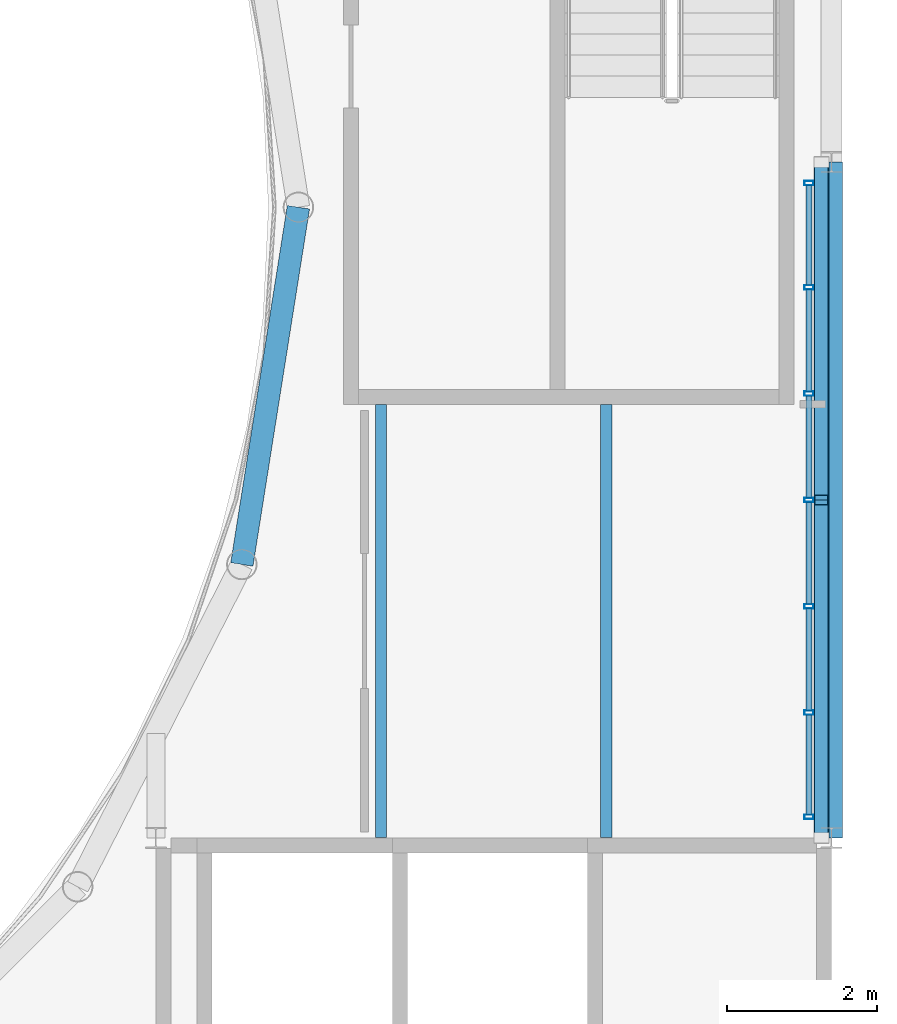
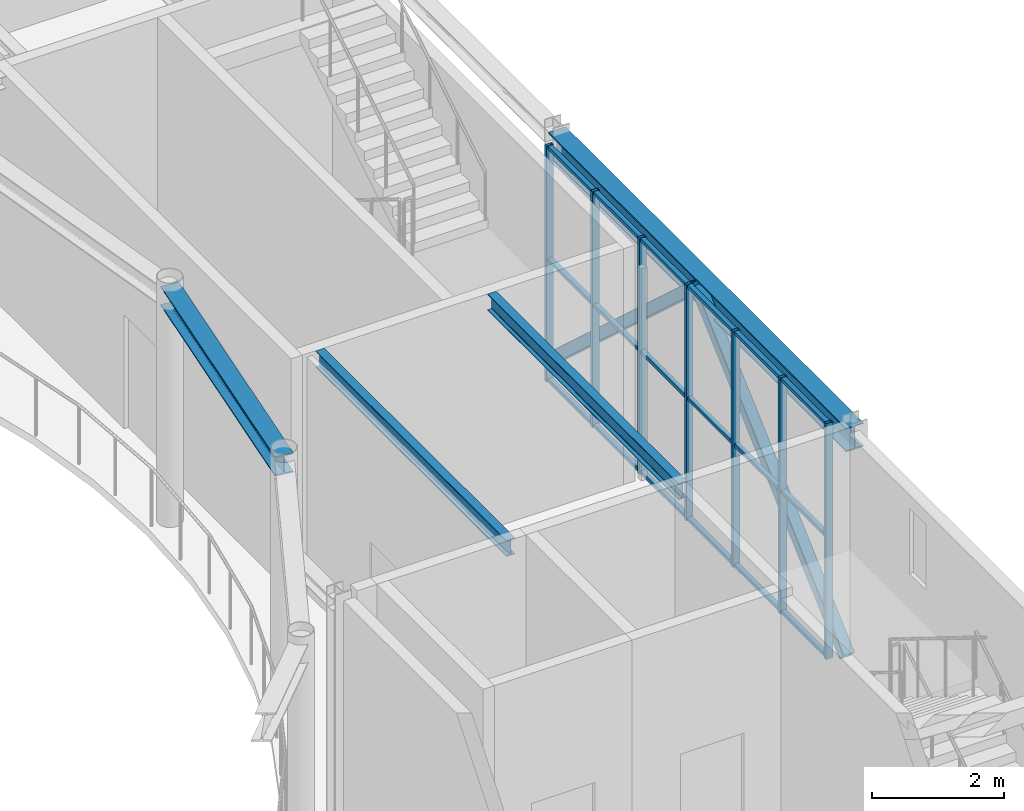
# One storey, part 34 of 70: 27 members, 4 beams, 1 element without a shape of its own.
"""IFC4 building model written with IfcOpenShell, lengths in metres."""

import ifcopenshell
import ifcopenshell.guid

model = None  # the IFC model being written
_history = None  # IfcOwnerHistory: only IFC2X3 demands one
_inside = {}  # id of a spatial element -> (the spatial element, [elements in it])
_under = {}  # id of a project, library or spatial element -> (it, [spatial elements below it])
_declared = {}  # id of a project -> (the project, [libraries it declares])
_typed = {}  # id of a type object -> (the type object, [elements of that type])
_made_of = {}  # id of a material, layer set ... -> (it, [elements and type objects made of it])


def new_model(schema):
    """Start an empty IFC model of exactly this schema.

    Asked for "IFC4X3", IfcOpenShell would pick the latest addendum, in which some entities
    have other attributes; the version numbers below select the first issue.
    IFC2X3 requires an IfcOwnerHistory on every rooted entity: one is made here for all.
    """
    global model, _history
    if schema == "IFC4X3":
        model = ifcopenshell.file(schema_version=(4, 3, 0, 0))
    else:
        model = ifcopenshell.file(schema=schema)
    _inside.clear()
    _under.clear()
    _declared.clear()
    _typed.clear()
    _made_of.clear()
    _history = None
    if model.schema == "IFC2X3":
        org = make("IfcOrganization", Name="unknown")
        user = make(
            "IfcPersonAndOrganization",
            ThePerson=make("IfcPerson", FamilyName="unknown"),
            TheOrganization=org,
        )
        app = make(
            "IfcApplication",
            ApplicationDeveloper=org,
            Version="unknown",
            ApplicationFullName="unknown",
            ApplicationIdentifier="unknown",
        )
        _history = make(
            "IfcOwnerHistory",
            OwningUser=user,
            OwningApplication=app,
            ChangeAction="ADDED",
            CreationDate=0,
        )
    return model


def make(cls, **values):
    """One entity of the class cls with the attributes given. An attribute that is None is left unset."""
    return model.create_entity(
        cls, **{name: value for name, value in values.items() if value is not None}
    )


def rooted(cls, **values):
    """An entity with a GlobalId (a new one), such as an element, a storey or a relation."""
    return make(cls, GlobalId=ifcopenshell.guid.new(), OwnerHistory=_history, **values)


def si_unit(unit_type, name, prefix=None):
    """IfcSIUnit, for example si_unit("LENGTHUNIT", "METRE", prefix="MILLI")."""
    return make("IfcSIUnit", UnitType=unit_type, Prefix=prefix, Name=name)


def assignment(units):
    """IfcUnitAssignment: the units of a project."""
    return None if units is None else make("IfcUnitAssignment", Units=units)


def point(xyz):
    """IfcCartesianPoint."""
    return None if xyz is None else make("IfcCartesianPoint", Coordinates=xyz)


def direction(xyz):
    """IfcDirection."""
    return None if xyz is None else make("IfcDirection", DirectionRatios=xyz)


def frame(location, z_axis=None, x_axis=None):
    """IfcAxis2Placement3D, a coordinate frame: its origin and axes. An axis left out is left unset."""
    return make(
        "IfcAxis2Placement3D",
        Location=point(location),
        Axis=direction(z_axis),
        RefDirection=direction(x_axis),
    )


def frame_2d(location, x_axis=None):
    """IfcAxis2Placement2D, a coordinate frame in the plane: its origin and x axis."""
    return make(
        "IfcAxis2Placement2D", Location=point(location), RefDirection=direction(x_axis)
    )


def origin():
    """The frame at (0, 0, 0) with its axes left unset."""
    return frame((0.0, 0.0, 0.0))


def origin_2d():
    """The frame at (0, 0) in the plane with its x axis left unset."""
    return frame_2d((0.0, 0.0))


def place(relative_to, where):
    """IfcLocalPlacement: puts the frame where relative to a parent placement (None: the world)."""
    return make(
        "IfcLocalPlacement", PlacementRelTo=relative_to, RelativePlacement=where
    )


def context(
    kind, dimensions, precision=None, world=None, true_north=None, identifier=None
):
    """IfcGeometricRepresentationContext, for example the 3D "Model" context."""
    return make(
        "IfcGeometricRepresentationContext",
        ContextIdentifier=identifier,
        ContextType=kind,
        CoordinateSpaceDimension=dimensions,
        Precision=precision,
        WorldCoordinateSystem=world,
        TrueNorth=true_north,
    )


def subcontext(parent, identifier, kind, view, scale=None):
    """IfcGeometricRepresentationSubContext, for example "Body" below "Model"."""
    return make(
        "IfcGeometricRepresentationSubContext",
        ContextIdentifier=identifier,
        ContextType=kind,
        ParentContext=parent,
        TargetScale=scale,
        TargetView=view,
    )


def project(units=None, contexts=None):
    """IfcProject with its units and contexts."""
    return rooted(
        "IfcProject",
        Name="project",
        RepresentationContexts=contexts,
        UnitsInContext=assignment(units),
    )


def spatial(cls, under=None, at=None, **own):
    """A site, building, storey or space (cls), placed at a placement, below another one or the project."""
    s = rooted(cls, ObjectPlacement=at, **own)
    if under is not None:
        _under.setdefault(under.id(), (under, []))[1].append(s)
    return s


def profile(cls, at=None, kind="AREA", **sizes):
    """A parametric profile (cls). Its sizes go by their IFC names, for example OverallWidth=200.0."""
    return make(cls, ProfileType=kind, Position=at, **sizes)


def hollow_rectangle(**sizes):
    """IfcRectangleHollowProfileDef."""
    return profile("IfcRectangleHollowProfileDef", **sizes)


def i_section(**sizes):
    """IfcIShapeProfileDef."""
    return profile("IfcIShapeProfileDef", **sizes)


def extrude(swept, where, along, depth):
    """IfcExtrudedAreaSolid: the profile swept, set in the frame where, extruded along a direction by depth."""
    return make(
        "IfcExtrudedAreaSolid",
        SweptArea=swept,
        Position=where,
        ExtrudedDirection=direction(along),
        Depth=depth,
    )


def shape(context_of_items, identifier, shape_type, items):
    """IfcShapeRepresentation: the items that make up one representation, for example the "Body"."""
    return make(
        "IfcShapeRepresentation",
        ContextOfItems=context_of_items,
        RepresentationIdentifier=identifier,
        RepresentationType=shape_type,
        Items=items,
    )


def material(Name=None, Category=None):
    """IfcMaterial."""
    return make("IfcMaterial", Name=Name, Category=Category)


def layer(
    of_material, thickness, ventilated=None, Name=None, Category=None, Priority=None
):
    """IfcMaterialLayer: one layer of a wall or slab, of a material (None: an air gap)."""
    return make(
        "IfcMaterialLayer",
        Material=of_material,
        LayerThickness=thickness,
        IsVentilated=ventilated,
        Name=Name,
        Category=Category,
        Priority=Priority,
    )


def layer_set(layers, Name=None):
    """IfcMaterialLayerSet."""
    return make("IfcMaterialLayerSet", MaterialLayers=layers, LayerSetName=Name)


def material_profile(
    of_material, cross_section, Name=None, Category=None, Priority=None
):
    """IfcMaterialProfile: a cross section and its material."""
    return make(
        "IfcMaterialProfile",
        Name=Name,
        Material=of_material,
        Profile=cross_section,
        Priority=Priority,
        Category=Category,
    )


def profile_set(profiles, Name=None, composite=None):
    """IfcMaterialProfileSet."""
    return make(
        "IfcMaterialProfileSet",
        Name=Name,
        MaterialProfiles=profiles,
        CompositeProfile=composite,
    )


def made_of(thing, what):
    """Note that an element or type object is made of a material, layer set ...; save() writes the relation."""
    if what is not None:
        _made_of.setdefault(what.id(), (what, []))[1].append(thing)
    return thing


def type_object(cls, material=None, **own):
    """A type object (cls), such as IfcWallType, which elements share."""
    return made_of(rooted(cls, **own), material)


def element(
    cls,
    number,
    at=None,
    inside=None,
    cuts=None,
    type_object=None,
    material=None,
    context=None,
    identifier="Body",
    shape_type=None,
    held_by="IfcProductDefinitionShape",
    body=None,
    shapes=None,
    **own,
):
    """One element of the class cls, such as IfcWall. Its Tag is "e" and its number.

    at: its placement. inside: the storey or other place that contains it. cuts: it is an
    opening in that element (IfcRelVoidsElement). A single representation is given by context,
    identifier, shape_type and body (its items); several are given by shapes. held_by: the class
    of the entity that holds the representations. save() writes the other relations.
    """
    e = rooted(cls, Tag="e%d" % number, ObjectPlacement=at, **own)
    if body is not None:
        shapes = [shape(context, identifier, shape_type, body)]
    if shapes is not None:
        e.Representation = make(held_by, Representations=shapes)
    if inside is not None:
        _inside.setdefault(inside.id(), (inside, []))[1].append(e)
    if cuts is not None:
        rooted(
            "IfcRelVoidsElement", RelatingBuildingElement=cuts, RelatedOpeningElement=e
        )
    if type_object is not None:
        _typed.setdefault(type_object.id(), (type_object, []))[1].append(e)
    return made_of(e, material)


def aggregate(whole, parts):
    """IfcRelAggregates: a whole, such as a stair, and the parts it consists of."""
    return rooted("IfcRelAggregates", RelatingObject=whole, RelatedObjects=parts)


def save(model, path):
    """Write the relations noted so far, then the file.

    IfcRelAggregates (storeys below a building ...), IfcRelContainedInSpatialStructure (elements
    in a storey), IfcRelDefinesByType, IfcRelAssociatesMaterial and IfcRelDeclares: one each for
    every whole, place, type object, material and project.
    """
    for whole, parts in _under.values():
        aggregate(whole, parts)
    for where, things in _inside.values():
        rooted(
            "IfcRelContainedInSpatialStructure",
            RelatedElements=things,
            RelatingStructure=where,
        )
    for kind, things in _typed.values():
        rooted("IfcRelDefinesByType", RelatedObjects=things, RelatingType=kind)
    for what, things in _made_of.values():
        rooted("IfcRelAssociatesMaterial", RelatedObjects=things, RelatingMaterial=what)
    for by, libraries in _declared.values():
        rooted("IfcRelDeclares", RelatingContext=by, RelatedDefinitions=libraries)
    model.write(path)


model = new_model("IFC4")

# Units and contexts
model_context = context("Model", 3, precision=1e-05, world=origin(), true_north=direction((0.0, 1.0)))
body_context = subcontext(model_context, "Body", "Model", "MODEL_VIEW")
ifc_project = project(units=[si_unit("LENGTHUNIT", "METRE"), si_unit("AREAUNIT", "SQUARE_METRE"), si_unit("VOLUMEUNIT", "CUBIC_METRE"), si_unit("PLANEANGLEUNIT", "RADIAN"), si_unit("MASSUNIT", "GRAM", prefix="KILO")], contexts=[model_context])

# Site, building, storey
site_placement = place(None, origin())
site = spatial("IfcSite", under=ifc_project, at=site_placement, CompositionType="ELEMENT")
building_placement = place(site_placement, origin())
building = spatial("IfcBuilding", under=site, at=building_placement, Name="Kallimachos Central Library", CompositionType="ELEMENT")
storey_placement = place(building_placement, frame((0.0, 0.0, 18.89990234375)))
storey = spatial("IfcBuildingStorey", under=building, at=storey_placement, Name="L04", CompositionType="ELEMENT", Elevation=18.89990234375)

# Curtain wall, members
ifc_material_1 = material(Name="Anodised aluminium and laminated glass", Category="aluminium")
ifc_layer = layer(ifc_material_1, 0.159912109375)
ifc_layer_set = layer_set([ifc_layer], Name="Glass box curtain wall")
curtain_wall_type = type_object("IfcCurtainWallType", Name="Glass box curtain wall", PredefinedType="NOTDEFINED", material=ifc_layer_set)
curtain_wall_placement = place(storey_placement, origin())
curtain_wall = element("IfcCurtainWall", 1, at=curtain_wall_placement, inside=storey, type_object=curtain_wall_type, Name="Glass box curtain wall E L04", PredefinedType="NOTDEFINED")
ifc_material_2 = material(Name="Anodised aluminium", Category="aluminium")
ifc_material_profile_1 = material_profile(ifc_material_2, hollow_rectangle(XDim=0.06005859375, YDim=0.1201171875, WallThickness=0.00390625, at=origin_2d()), Name="ALU MULLION 60x120")
ifc_profile_set_1 = profile_set([ifc_material_profile_1], Name="Anodised aluminium")
member_type_1 = type_object("IfcMemberType", Name="Glass box mullion 60x120", PredefinedType="MULLION", material=ifc_profile_set_1)
member_1_placement = place(storey_placement, frame((110.199951171875, 96.280029296875, 0.0), z_axis=(0.0, 0.0, 1.0), x_axis=(0.0, 1.0, 0.0)))
member_1 = element("IfcMember", 2, at=member_1_placement, type_object=member_type_1, Name="CW32 mullion 1", PredefinedType="MULLION", context=body_context, shape_type="SweptSolid", body=[
    extrude(hollow_rectangle(XDim=0.06005859375, YDim=0.1201171875, WallThickness=0.00390625, at=origin_2d()), origin(), (0.0, 0.0, 1.0), 4.35009765625),
])
member_2_placement = place(storey_placement, frame((110.199951171875, 97.666748046875, 0.0), z_axis=(0.0, 0.0, 1.0), x_axis=(0.0, 1.0, 0.0)))
member_2 = element("IfcMember", 3, at=member_2_placement, type_object=member_type_1, Name="CW32 mullion 2", PredefinedType="MULLION", context=body_context, shape_type="SweptSolid", body=[
    extrude(hollow_rectangle(XDim=0.06005859375, YDim=0.1201171875, WallThickness=0.00390625, at=origin_2d()), origin(), (0.0, 0.0, 1.0), 4.35009765625),
])
member_3_placement = place(storey_placement, frame((110.199951171875, 99.083251953125, 0.0), z_axis=(0.0, 0.0, 1.0), x_axis=(0.0, 1.0, 0.0)))
member_3 = element("IfcMember", 4, at=member_3_placement, type_object=member_type_1, Name="CW32 mullion 3", PredefinedType="MULLION", context=body_context, shape_type="SweptSolid", body=[
    extrude(hollow_rectangle(XDim=0.06005859375, YDim=0.1201171875, WallThickness=0.00390625, at=origin_2d()), origin(), (0.0, 0.0, 1.0), 4.35009765625),
])
member_4_placement = place(storey_placement, frame((110.199951171875, 100.5, 0.0), z_axis=(0.0, 0.0, 1.0), x_axis=(0.0, 1.0, 0.0)))
member_4 = element("IfcMember", 5, at=member_4_placement, type_object=member_type_1, Name="CW32 mullion 4", PredefinedType="MULLION", context=body_context, shape_type="SweptSolid", body=[
    extrude(hollow_rectangle(XDim=0.06005859375, YDim=0.1201171875, WallThickness=0.00390625, at=origin_2d()), origin(), (0.0, 0.0, 1.0), 4.35009765625),
])
member_5_placement = place(storey_placement, frame((110.199951171875, 101.916748046875, 0.0), z_axis=(0.0, 0.0, 1.0), x_axis=(0.0, 1.0, 0.0)))
member_5 = element("IfcMember", 6, at=member_5_placement, type_object=member_type_1, Name="CW32 mullion 5", PredefinedType="MULLION", context=body_context, shape_type="SweptSolid", body=[
    extrude(hollow_rectangle(XDim=0.06005859375, YDim=0.1201171875, WallThickness=0.00390625, at=origin_2d()), origin(), (0.0, 0.0, 1.0), 4.35009765625),
])
member_6_placement = place(storey_placement, frame((110.199951171875, 103.333251953125, 0.0), z_axis=(0.0, 0.0, 1.0), x_axis=(0.0, 1.0, 0.0)))
member_6 = element("IfcMember", 7, at=member_6_placement, type_object=member_type_1, Name="CW32 mullion 6", PredefinedType="MULLION", context=body_context, shape_type="SweptSolid", body=[
    extrude(hollow_rectangle(XDim=0.06005859375, YDim=0.1201171875, WallThickness=0.00390625, at=origin_2d()), origin(), (0.0, 0.0, 1.0), 4.35009765625),
])
member_7_placement = place(storey_placement, frame((110.199951171875, 104.719970703125, 0.0), z_axis=(0.0, 0.0, 1.0), x_axis=(0.0, 1.0, 0.0)))
member_7 = element("IfcMember", 8, at=member_7_placement, type_object=member_type_1, Name="CW32 mullion 7", PredefinedType="MULLION", context=body_context, shape_type="SweptSolid", body=[
    extrude(hollow_rectangle(XDim=0.06005859375, YDim=0.1201171875, WallThickness=0.00390625, at=origin_2d()), origin(), (0.0, 0.0, 1.0), 4.35009765625),
])
ifc_material_3 = material(Name="Anodised aluminium", Category="aluminium")
ifc_material_profile_2 = material_profile(ifc_material_3, hollow_rectangle(XDim=0.06005859375, YDim=0.080078125, WallThickness=0.00390625, at=origin_2d()), Name="ALU TRANSOM 60x80")
ifc_profile_set_2 = profile_set([ifc_material_profile_2], Name="Anodised aluminium")
member_type_2 = type_object("IfcMemberType", Name="Glass box transom 60x80", PredefinedType="USERDEFINED", material=ifc_profile_set_2)
member_8_placement = place(storey_placement, frame((110.199951171875, 96.31005859375, 0.030029296875), z_axis=(0.0, 1.0, 0.0), x_axis=(0.0, 0.0, 1.0)))
member_8 = element("IfcMember", 9, at=member_8_placement, type_object=member_type_2, Name="CW32 transom 1.1", ObjectType="TRANSOM", PredefinedType="USERDEFINED", context=body_context, shape_type="SweptSolid", body=[
    extrude(hollow_rectangle(XDim=0.06005859375, YDim=0.080078125, WallThickness=0.00390625, at=origin_2d()), origin(), (0.0, 0.0, 1.0), 1.32666015625),
])
member_9_placement = place(storey_placement, frame((110.199951171875, 96.31005859375, 2.25), z_axis=(0.0, 1.0, 0.0), x_axis=(0.0, 0.0, 1.0)))
member_9 = element("IfcMember", 10, at=member_9_placement, type_object=member_type_2, Name="CW32 transom 1.2", ObjectType="TRANSOM", PredefinedType="USERDEFINED", context=body_context, shape_type="SweptSolid", body=[
    extrude(hollow_rectangle(XDim=0.06005859375, YDim=0.080078125, WallThickness=0.00390625, at=origin_2d()), origin(), (0.0, 0.0, 1.0), 1.32666015625),
])
member_10_placement = place(storey_placement, frame((110.199951171875, 96.31005859375, 4.320068359375), z_axis=(0.0, 1.0, 0.0), x_axis=(0.0, 0.0, 1.0)))
member_10 = element("IfcMember", 11, at=member_10_placement, type_object=member_type_2, Name="CW32 transom 1.3", ObjectType="TRANSOM", PredefinedType="USERDEFINED", context=body_context, shape_type="SweptSolid", body=[
    extrude(hollow_rectangle(XDim=0.06005859375, YDim=0.080078125, WallThickness=0.00390625, at=origin_2d()), origin(), (0.0, 0.0, 1.0), 1.32666015625),
])
member_11_placement = place(storey_placement, frame((110.199951171875, 97.69677734375, 0.030029296875), z_axis=(0.0, 1.0, 0.0), x_axis=(0.0, 0.0, 1.0)))
member_11 = element("IfcMember", 12, at=member_11_placement, type_object=member_type_2, Name="CW32 transom 2.1", ObjectType="TRANSOM", PredefinedType="USERDEFINED", context=body_context, shape_type="SweptSolid", body=[
    extrude(hollow_rectangle(XDim=0.06005859375, YDim=0.080078125, WallThickness=0.00390625, at=origin_2d()), origin(), (0.0, 0.0, 1.0), 1.3564453125),
])
member_12_placement = place(storey_placement, frame((110.199951171875, 97.69677734375, 2.25), z_axis=(0.0, 1.0, 0.0), x_axis=(0.0, 0.0, 1.0)))
member_12 = element("IfcMember", 13, at=member_12_placement, type_object=member_type_2, Name="CW32 transom 2.2", ObjectType="TRANSOM", PredefinedType="USERDEFINED", context=body_context, shape_type="SweptSolid", body=[
    extrude(hollow_rectangle(XDim=0.06005859375, YDim=0.080078125, WallThickness=0.00390625, at=origin_2d()), origin(), (0.0, 0.0, 1.0), 1.3564453125),
])
member_13_placement = place(storey_placement, frame((110.199951171875, 97.69677734375, 4.320068359375), z_axis=(0.0, 1.0, 0.0), x_axis=(0.0, 0.0, 1.0)))
member_13 = element("IfcMember", 14, at=member_13_placement, type_object=member_type_2, Name="CW32 transom 2.3", ObjectType="TRANSOM", PredefinedType="USERDEFINED", context=body_context, shape_type="SweptSolid", body=[
    extrude(hollow_rectangle(XDim=0.06005859375, YDim=0.080078125, WallThickness=0.00390625, at=origin_2d()), origin(), (0.0, 0.0, 1.0), 1.3564453125),
])
member_14_placement = place(storey_placement, frame((110.199951171875, 99.11328125, 0.030029296875), z_axis=(0.0, 1.0, 0.0), x_axis=(0.0, 0.0, 1.0)))
member_14 = element("IfcMember", 15, at=member_14_placement, type_object=member_type_2, Name="CW32 transom 3.1", ObjectType="TRANSOM", PredefinedType="USERDEFINED", context=body_context, shape_type="SweptSolid", body=[
    extrude(hollow_rectangle(XDim=0.06005859375, YDim=0.080078125, WallThickness=0.00390625, at=origin_2d()), origin(), (0.0, 0.0, 1.0), 1.356689453125),
])
member_15_placement = place(storey_placement, frame((110.199951171875, 99.11328125, 2.25), z_axis=(0.0, 1.0, 0.0), x_axis=(0.0, 0.0, 1.0)))
member_15 = element("IfcMember", 16, at=member_15_placement, type_object=member_type_2, Name="CW32 transom 3.2", ObjectType="TRANSOM", PredefinedType="USERDEFINED", context=body_context, shape_type="SweptSolid", body=[
    extrude(hollow_rectangle(XDim=0.06005859375, YDim=0.080078125, WallThickness=0.00390625, at=origin_2d()), origin(), (0.0, 0.0, 1.0), 1.356689453125),
])
member_16_placement = place(storey_placement, frame((110.199951171875, 99.11328125, 4.320068359375), z_axis=(0.0, 1.0, 0.0), x_axis=(0.0, 0.0, 1.0)))
member_16 = element("IfcMember", 17, at=member_16_placement, type_object=member_type_2, Name="CW32 transom 3.3", ObjectType="TRANSOM", PredefinedType="USERDEFINED", context=body_context, shape_type="SweptSolid", body=[
    extrude(hollow_rectangle(XDim=0.06005859375, YDim=0.080078125, WallThickness=0.00390625, at=origin_2d()), origin(), (0.0, 0.0, 1.0), 1.356689453125),
])
member_17_placement = place(storey_placement, frame((110.199951171875, 100.530029296875, 0.030029296875), z_axis=(0.0, 1.0, 0.0), x_axis=(0.0, 0.0, 1.0)))
member_17 = element("IfcMember", 18, at=member_17_placement, type_object=member_type_2, Name="CW32 transom 4.1", ObjectType="TRANSOM", PredefinedType="USERDEFINED", context=body_context, shape_type="SweptSolid", body=[
    extrude(hollow_rectangle(XDim=0.06005859375, YDim=0.080078125, WallThickness=0.00390625, at=origin_2d()), origin(), (0.0, 0.0, 1.0), 1.356689453125),
])
member_18_placement = place(storey_placement, frame((110.199951171875, 100.530029296875, 2.25), z_axis=(0.0, 1.0, 0.0), x_axis=(0.0, 0.0, 1.0)))
member_18 = element("IfcMember", 19, at=member_18_placement, type_object=member_type_2, Name="CW32 transom 4.2", ObjectType="TRANSOM", PredefinedType="USERDEFINED", context=body_context, shape_type="SweptSolid", body=[
    extrude(hollow_rectangle(XDim=0.06005859375, YDim=0.080078125, WallThickness=0.00390625, at=origin_2d()), origin(), (0.0, 0.0, 1.0), 1.356689453125),
])
member_19_placement = place(storey_placement, frame((110.199951171875, 100.530029296875, 4.320068359375), z_axis=(0.0, 1.0, 0.0), x_axis=(0.0, 0.0, 1.0)))
member_19 = element("IfcMember", 20, at=member_19_placement, type_object=member_type_2, Name="CW32 transom 4.3", ObjectType="TRANSOM", PredefinedType="USERDEFINED", context=body_context, shape_type="SweptSolid", body=[
    extrude(hollow_rectangle(XDim=0.06005859375, YDim=0.080078125, WallThickness=0.00390625, at=origin_2d()), origin(), (0.0, 0.0, 1.0), 1.356689453125),
])
member_20_placement = place(storey_placement, frame((110.199951171875, 101.94677734375, 0.030029296875), z_axis=(0.0, 1.0, 0.0), x_axis=(0.0, 0.0, 1.0)))
member_20 = element("IfcMember", 21, at=member_20_placement, type_object=member_type_2, Name="CW32 transom 5.1", ObjectType="TRANSOM", PredefinedType="USERDEFINED", context=body_context, shape_type="SweptSolid", body=[
    extrude(hollow_rectangle(XDim=0.06005859375, YDim=0.080078125, WallThickness=0.00390625, at=origin_2d()), origin(), (0.0, 0.0, 1.0), 1.3564453125),
])
member_21_placement = place(storey_placement, frame((110.199951171875, 101.94677734375, 2.25), z_axis=(0.0, 1.0, 0.0), x_axis=(0.0, 0.0, 1.0)))
member_21 = element("IfcMember", 22, at=member_21_placement, type_object=member_type_2, Name="CW32 transom 5.2", ObjectType="TRANSOM", PredefinedType="USERDEFINED", context=body_context, shape_type="SweptSolid", body=[
    extrude(hollow_rectangle(XDim=0.06005859375, YDim=0.080078125, WallThickness=0.00390625, at=origin_2d()), origin(), (0.0, 0.0, 1.0), 1.3564453125),
])
member_22_placement = place(storey_placement, frame((110.199951171875, 101.94677734375, 4.320068359375), z_axis=(0.0, 1.0, 0.0), x_axis=(0.0, 0.0, 1.0)))
member_22 = element("IfcMember", 23, at=member_22_placement, type_object=member_type_2, Name="CW32 transom 5.3", ObjectType="TRANSOM", PredefinedType="USERDEFINED", context=body_context, shape_type="SweptSolid", body=[
    extrude(hollow_rectangle(XDim=0.06005859375, YDim=0.080078125, WallThickness=0.00390625, at=origin_2d()), origin(), (0.0, 0.0, 1.0), 1.3564453125),
])
member_23_placement = place(storey_placement, frame((110.199951171875, 103.36328125, 0.030029296875), z_axis=(0.0, 1.0, 0.0), x_axis=(0.0, 0.0, 1.0)))
member_23 = element("IfcMember", 24, at=member_23_placement, type_object=member_type_2, Name="CW32 transom 6.1", ObjectType="TRANSOM", PredefinedType="USERDEFINED", context=body_context, shape_type="SweptSolid", body=[
    extrude(hollow_rectangle(XDim=0.06005859375, YDim=0.080078125, WallThickness=0.00390625, at=origin_2d()), origin(), (0.0, 0.0, 1.0), 1.32666015625),
])
member_24_placement = place(storey_placement, frame((110.199951171875, 103.36328125, 2.25), z_axis=(0.0, 1.0, 0.0), x_axis=(0.0, 0.0, 1.0)))
member_24 = element("IfcMember", 25, at=member_24_placement, type_object=member_type_2, Name="CW32 transom 6.2", ObjectType="TRANSOM", PredefinedType="USERDEFINED", context=body_context, shape_type="SweptSolid", body=[
    extrude(hollow_rectangle(XDim=0.06005859375, YDim=0.080078125, WallThickness=0.00390625, at=origin_2d()), origin(), (0.0, 0.0, 1.0), 1.32666015625),
])
member_25_placement = place(storey_placement, frame((110.199951171875, 103.36328125, 4.320068359375), z_axis=(0.0, 1.0, 0.0), x_axis=(0.0, 0.0, 1.0)))
member_25 = element("IfcMember", 26, at=member_25_placement, type_object=member_type_2, Name="CW32 transom 6.3", ObjectType="TRANSOM", PredefinedType="USERDEFINED", context=body_context, shape_type="SweptSolid", body=[
    extrude(hollow_rectangle(XDim=0.06005859375, YDim=0.080078125, WallThickness=0.00390625, at=origin_2d()), origin(), (0.0, 0.0, 1.0), 1.32666015625),
])
aggregate(curtain_wall, [member_1, member_2, member_3, member_4, member_5, member_6, member_7, member_8, member_9, member_10, member_11, member_12, member_13, member_14, member_15, member_16, member_17, member_18, member_19, member_20, member_21, member_22, member_23, member_24, member_25])

# Beams
ifc_material_4 = material(Name="Steel S355J2", Category="steel")
ifc_material_profile_3 = material_profile(ifc_material_4, i_section(OverallWidth=0.300048828125, OverallDepth=0.43994140625, WebThickness=0.011474609375, FlangeThickness=0.02099609375, FilletRadius=0.027099609375, at=origin_2d()), Name="HEA 450")
ifc_profile_set_3 = profile_set([ifc_material_profile_3], Name="Steel S355J2")
beam_type_1 = type_object("IfcBeamType", Name="HEA 450 beam", PredefinedType="BEAM", material=ifc_profile_set_3)
beam_1_placement = place(storey_placement, frame((110.5, 96.0, 4.130126953125), z_axis=(0.0, 1.0, 0.0), x_axis=(-1.0, 0.0, 0.0)))
element("IfcBeam", 27, at=beam_1_placement, inside=storey, type_object=beam_type_1, Name="V1-BEM-L04-035", PredefinedType="BEAM", context=body_context, shape_type="SweptSolid", body=[
    extrude(i_section(OverallWidth=0.300048828125, OverallDepth=0.43994140625, WebThickness=0.011474609375, FlangeThickness=0.02099609375, FilletRadius=0.027099609375, at=origin_2d()), origin(), (0.0, 0.0, 1.0), 9.0),
])
ifc_material_5 = material(Name="Steel S355J2", Category="steel")
ifc_material_profile_4 = material_profile(ifc_material_5, i_section(OverallWidth=0.300048828125, OverallDepth=0.360107421875, WebThickness=0.012451171875, FlangeThickness=0.0224609375, FilletRadius=0.027099609375, at=origin_2d()), Name="HEB 360")
ifc_profile_set_4 = profile_set([ifc_material_profile_4], Name="Steel S355J2")
beam_type_2 = type_object("IfcBeamType", Name="HEB 360 beam", PredefinedType="BEAM", material=ifc_profile_set_4)
beam_2_placement = place(storey_placement, frame((102.646240234375, 99.64111328125, 4.170166015625), z_axis=(0.156423119957, 0.987690137413, 0.0), x_axis=(-0.987690137413, 0.156423119957, 0.0)))
element("IfcBeam", 28, at=beam_2_placement, inside=storey, type_object=beam_type_2, Name="V1-BEM-L04-020", PredefinedType="BEAM", context=body_context, shape_type="SweptSolid", body=[
    extrude(i_section(OverallWidth=0.300048828125, OverallDepth=0.360107421875, WebThickness=0.012451171875, FlangeThickness=0.0224609375, FilletRadius=0.027099609375, at=origin_2d()), origin(), (0.0, 0.0, 1.0), 4.818115234375),
])
ifc_material_6 = material(Name="Steel S355J2", Category="steel")
ifc_material_profile_5 = material_profile(ifc_material_6, i_section(OverallWidth=0.14990234375, OverallDepth=0.300048828125, WebThickness=0.007080078125, FlangeThickness=0.0107421875, FilletRadius=0.014892578125, at=origin_2d()), Name="IPE 300")
ifc_profile_set_5 = profile_set([ifc_material_profile_5], Name="Steel S355J2")
beam_type_3 = type_object("IfcBeamType", Name="IPE 300 beam", PredefinedType="BEAM", material=ifc_profile_set_5)
for number, where, z_axis, x_axis, name in (
    (29, (104.5, 96.0048828125, 4.2001953125), (0.0, 1.0, 0.0), (-1.0, 0.0, 0.0), "V1-BEM-L04-065"),
    (30, (107.5, 96.0048828125, 4.2001953125), (0.0, 1.0, 0.0), (-1.0, 0.0, 0.0), "V1-BEM-L04-067"),
):
    element("IfcBeam", number, at=place(storey_placement, frame(where, z_axis=z_axis, x_axis=x_axis)), inside=storey, type_object=beam_type_3, Name=name, PredefinedType="BEAM", context=body_context, shape_type="SweptSolid", body=[
        extrude(i_section(OverallWidth=0.14990234375, OverallDepth=0.300048828125, WebThickness=0.007080078125, FlangeThickness=0.0107421875, FilletRadius=0.014892578125, at=origin_2d()), origin(), (0.0, 0.0, 1.0), 5.76513671875),
    ])

# Members
ifc_material_7 = material(Name="Steel S355J2H", Category="steel")
ifc_material_profile_6 = material_profile(ifc_material_7, hollow_rectangle(XDim=0.199951171875, YDim=0.199951171875, WallThickness=0.010009765625, InnerFilletRadius=0.010009765625, OuterFilletRadius=0.014892578125, at=origin_2d()), Name="SHS 200x200x10")
ifc_profile_set_6 = profile_set([ifc_material_profile_6], Name="Steel S355J2H")
member_type_3 = type_object("IfcMemberType", Name="SHS 200x200x10 brace", PredefinedType="BRACE", material=ifc_profile_set_6)
for number, where, z_axis, x_axis, name in (
    (31, (110.364990234375, 96.0, 0.150146484375), (0.0, 0.7392083166, 0.673476847909), (-1.0, 0.0, 0.0), "Chevron brace 110.5 L04"),
    (32, (110.364990234375, 105.0, 0.150146484375), (0.0, -0.7392083166, 0.673476847909), (1.0, 0.0, 0.0), "Chevron brace 110.5 L04"),
):
    element("IfcMember", number, at=place(storey_placement, frame(where, z_axis=z_axis, x_axis=x_axis)), inside=storey, type_object=member_type_3, Name=name, PredefinedType="BRACE", context=body_context, shape_type="SweptSolid", body=[
        extrude(hollow_rectangle(XDim=0.199951171875, YDim=0.199951171875, WallThickness=0.010009765625, InnerFilletRadius=0.010009765625, OuterFilletRadius=0.014892578125, at=origin_2d()), origin(), (0.0, 0.0, 1.0), 6.087646484375),
    ])

save(model, "model.ifc")
